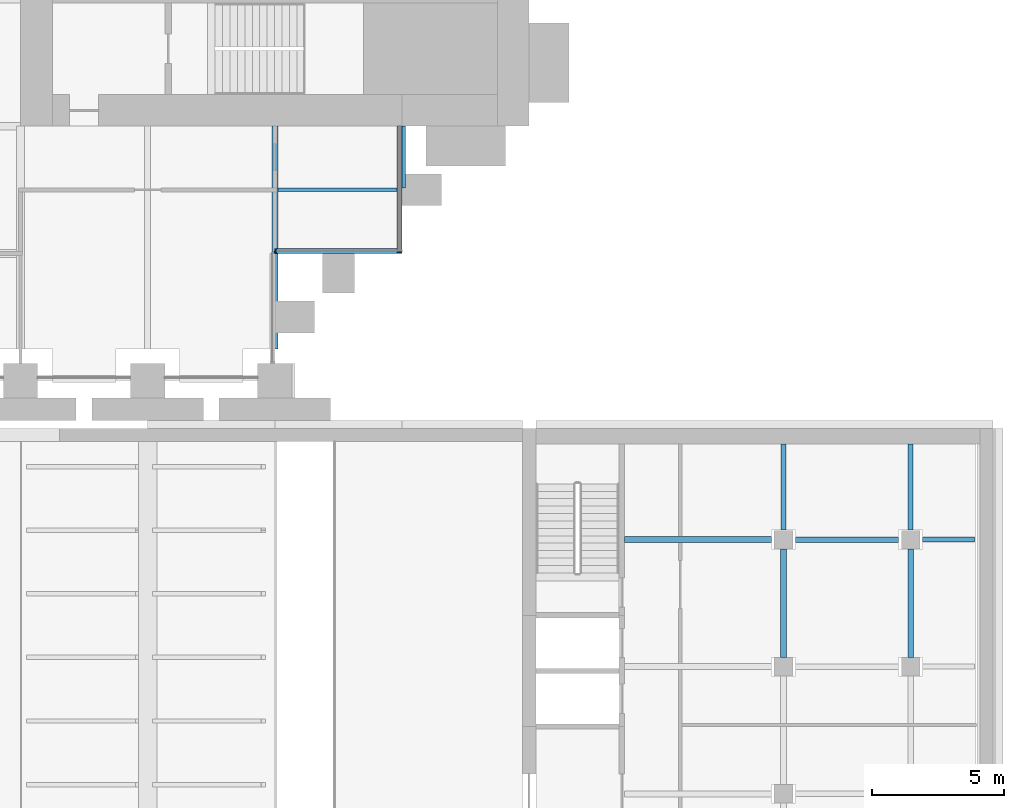
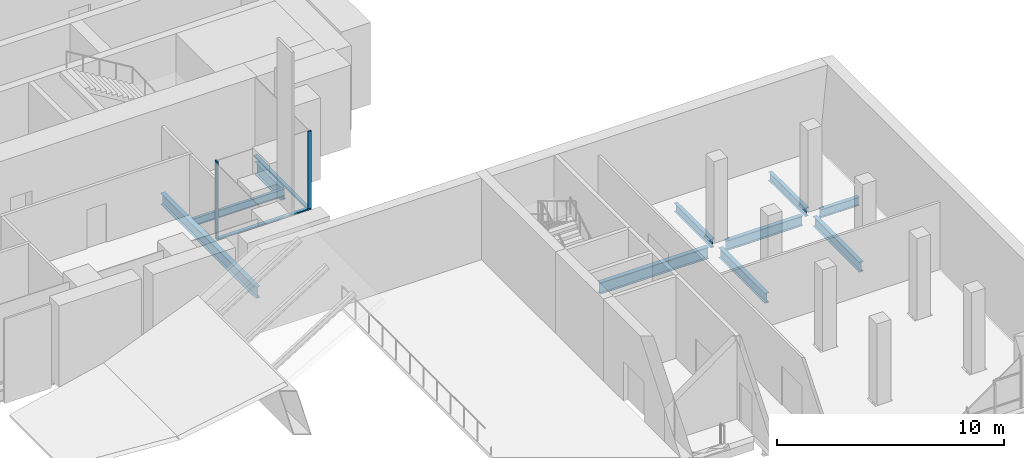
# One storey, part 13 of 32: 10 beams, 4 members, 2 elements without a shape of their own.
"""IFC4 building model written with IfcOpenShell, lengths in metres."""

from ifc_helpers import new_model, si_unit, direction, frame, origin, origin_2d, place, context, subcontext, project, spatial, rectangle, i_section, extrude, material, material_profile, profile_set, type_object, element, aggregate, save


model = new_model("IFC4")

# Units and contexts
model_context = context("Model", 3, precision=1e-05, world=origin(), true_north=direction((0.0, 1.0)))
body_context = subcontext(model_context, "Body", "Model", "MODEL_VIEW")
ifc_project = project(units=[si_unit("LENGTHUNIT", "METRE"), si_unit("AREAUNIT", "SQUARE_METRE"), si_unit("VOLUMEUNIT", "CUBIC_METRE"), si_unit("PLANEANGLEUNIT", "RADIAN"), si_unit("MASSUNIT", "GRAM", prefix="KILO")], contexts=[model_context])

# Site, building, storey
site_placement = place(None, origin())
site = spatial("IfcSite", under=ifc_project, at=site_placement, CompositionType="ELEMENT")
building_placement = place(site_placement, origin())
building = spatial("IfcBuilding", under=site, at=building_placement, Name="Baori Bourse Tower", CompositionType="ELEMENT")
storey_placement = place(building_placement, frame((0.0, 0.0, 12.60009765625)))
storey = spatial("IfcBuildingStorey", under=building, at=storey_placement, Name="L01", CompositionType="ELEMENT", Elevation=12.60009765625)

# Curtain wall, member
ifc_material_1 = material(Name="Pale anodised aluminium", Category="aluminium")
curtain_wall_type = type_object("IfcCurtainWallType", Name="CW2 Curtain wall", PredefinedType="NOTDEFINED", material=ifc_material_1)
curtain_wall_1_placement = place(storey_placement, origin())
curtain_wall_1 = element("IfcCurtainWall", 1, at=curtain_wall_1_placement, inside=storey, type_object=curtain_wall_type, Name="Curtain wall CW2 L01 13", PredefinedType="NOTDEFINED")
ifc_material_2 = material(Name="Pale anodised aluminium", Category="aluminium")
ifc_material_profile_1 = material_profile(ifc_material_2, rectangle(XDim=0.179931640625, YDim=0.054931640625, at=origin_2d()), Name="Mullion 55x180")
ifc_profile_set_1 = profile_set([ifc_material_profile_1], Name="Pale anodised aluminium")
member_type_1 = type_object("IfcMemberType", Name="CW2 Curtain wall mullion", PredefinedType="MULLION", material=ifc_profile_set_1)
member_1_placement = place(storey_placement, frame((48.027587890625, 4.889892578125, 0.06982421875), z_axis=(0.0, 0.0, 1.0), x_axis=(0.0, 1.0, 0.0)))
member_1 = element("IfcMember", 2, at=member_1_placement, type_object=member_type_1, Name="Curtain wall CW2 mullion", PredefinedType="MULLION", context=body_context, shape_type="SweptSolid", body=[
    extrude(rectangle(XDim=0.179931640625, YDim=0.054931640625, at=origin_2d()), origin(), (0.0, 0.0, 1.0), 4.170166015625),
])

curtain_wall_2_placement = place(storey_placement, origin())
curtain_wall_2 = element("IfcCurtainWall", 3, at=curtain_wall_2_placement, inside=storey, type_object=curtain_wall_type, Name="Curtain wall CW2 L01 14", PredefinedType="NOTDEFINED")
member_2_placement = place(storey_placement, frame((52.7099609375, 4.827392578125, 0.06982421875), z_axis=(0.0, 0.0, 1.0), x_axis=(-1.0, 0.0, 0.0)))
member_2 = element("IfcMember", 4, at=member_2_placement, type_object=member_type_1, Name="Curtain wall CW2 mullion", PredefinedType="MULLION", context=body_context, shape_type="SweptSolid", body=[
    extrude(rectangle(XDim=0.179931640625, YDim=0.054931640625, at=origin_2d()), origin(), (0.0, 0.0, 1.0), 4.170166015625),
])

# Member
ifc_material_3 = material(Name="Pale anodised aluminium", Category="aluminium")
ifc_material_profile_2 = material_profile(ifc_material_3, rectangle(XDim=0.179931640625, YDim=0.070068359375, at=origin_2d()), Name="Transom 70x180")
ifc_profile_set_2 = profile_set([ifc_material_profile_2], Name="Pale anodised aluminium")
member_type_2 = type_object("IfcMemberType", Name="CW2 Curtain wall transom", PredefinedType="USERDEFINED", material=ifc_profile_set_2)
member_3_placement = place(storey_placement, frame((48.0, 4.889892578125, 0.034912109375), z_axis=(1.0, 0.0, 0.0), x_axis=(0.0, 1.0, 0.0)))
member_3 = element("IfcMember", 5, at=member_3_placement, type_object=member_type_2, Name="Curtain wall CW2 sill rail", ObjectType="TRANSOM", PredefinedType="USERDEFINED", context=body_context, shape_type="SweptSolid", body=[
    extrude(rectangle(XDim=0.179931640625, YDim=0.070068359375, at=origin_2d()), origin(), (0.0, 0.0, 1.0), 4.800048828125),
])

aggregate(curtain_wall_1, [member_3, member_1])

member_4_placement = place(storey_placement, frame((52.7099609375, 4.800048828125, 0.034912109375), z_axis=(0.0, 1.0, 0.0), x_axis=(-1.0, 0.0, 0.0)))
member_4 = element("IfcMember", 6, at=member_4_placement, type_object=member_type_2, Name="Curtain wall CW2 sill rail", ObjectType="TRANSOM", PredefinedType="USERDEFINED", context=body_context, shape_type="SweptSolid", body=[
    extrude(rectangle(XDim=0.179931640625, YDim=0.070068359375, at=origin_2d()), origin(), (0.0, 0.0, 1.0), 4.800048828125),
])

aggregate(curtain_wall_2, [member_4, member_2])

# Beams
ifc_material_4 = material(Name="Steel A992 Gr 50", Category="steel")
ifc_material_profile_3 = material_profile(ifc_material_4, i_section(OverallWidth=0.25390625, OverallDepth=0.67822265625, WebThickness=0.01171875, FlangeThickness=0.016357421875, at=origin_2d()), Name="W27x84")
ifc_profile_set_3 = profile_set([ifc_material_profile_3], Name="Steel A992 Gr 50")
beam_type_1 = type_object("IfcBeamType", Name="Core bracket W27x84", PredefinedType="BEAM", material=ifc_profile_set_3)
beam_1_placement = place(storey_placement, frame((52.800048828125, 7.270263671875, -0.63916015625), z_axis=(0.0, 1.0, 0.0), x_axis=(-1.0, 0.0, 0.0)))
element("IfcBeam", 7, at=beam_1_placement, inside=storey, type_object=beam_type_1, Name="Core bracket L01", PredefinedType="BEAM", context=body_context, shape_type="SweptSolid", body=[
    extrude(i_section(OverallWidth=0.25390625, OverallDepth=0.67822265625, WebThickness=0.01171875, FlangeThickness=0.016357421875, at=origin_2d()), origin(), (0.0, 0.0, 1.0), 2.329833984375),
])
ifc_material_5 = material(Name="Steel A992 Gr 50", Category="steel")
ifc_material_profile_4 = material_profile(ifc_material_5, i_section(OverallWidth=0.22900390625, OverallDepth=0.612060546875, WebThickness=0.011962890625, FlangeThickness=0.01953125, at=origin_2d()), Name="W24x84")
ifc_profile_set_4 = profile_set([ifc_material_profile_4], Name="Steel A992 Gr 50")
beam_type_2 = type_object("IfcBeamType", Name="Floor beam W24x84", PredefinedType="BEAM", material=ifc_profile_set_4)
beam_2_placement = place(storey_placement, frame((48.0, 1.199951171875, -0.606201171875), z_axis=(0.0, 1.0, 0.0), x_axis=(-1.0, 0.0, 0.0)))
element("IfcBeam", 8, at=beam_2_placement, inside=storey, type_object=beam_type_2, Name="Floor beam L01", PredefinedType="BEAM", context=body_context, shape_type="SweptSolid", body=[
    extrude(i_section(OverallWidth=0.22900390625, OverallDepth=0.612060546875, WebThickness=0.011962890625, FlangeThickness=0.01953125, at=origin_2d()), origin(), (0.0, 0.0, 1.0), 8.400146484375),
])
ifc_material_6 = material(Name="Steel A992 Gr 50", Category="steel")
ifc_material_profile_5 = material_profile(ifc_material_6, i_section(OverallWidth=0.140380859375, OverallDepth=0.40380859375, WebThickness=0.007080078125, FlangeThickness=0.01123046875, at=origin_2d()), Name="W16x31")
ifc_profile_set_5 = profile_set([ifc_material_profile_5], Name="Steel A992 Gr 50")
beam_type_3 = type_object("IfcBeamType", Name="Trimmer beam W16x31", PredefinedType="BEAM", material=ifc_profile_set_5)
beam_3_placement = place(storey_placement, frame((48.114501953125, 7.199951171875, -0.501953125), z_axis=(1.0, 0.0, 0.0), x_axis=(0.0, 1.0, 0.0)))
element("IfcBeam", 9, at=beam_3_placement, inside=storey, type_object=beam_type_3, Name="Trimmer beam L01", PredefinedType="BEAM", context=body_context, shape_type="SweptSolid", body=[
    extrude(i_section(OverallWidth=0.140380859375, OverallDepth=0.40380859375, WebThickness=0.007080078125, FlangeThickness=0.01123046875, at=origin_2d()), origin(), (0.0, 0.0, 1.0), 4.685546875),
])
ifc_material_7 = material(Name="Steel A992 Gr 50", Category="steel")
ifc_material_profile_6 = material_profile(ifc_material_7, i_section(OverallWidth=0.1904296875, OverallDepth=0.457275390625, WebThickness=0.009033203125, FlangeThickness=0.014404296875, at=origin_2d()), Name="W18x50")
ifc_profile_set_6 = profile_set([ifc_material_profile_6], Name="Steel A992 Gr 50")
beam_type_4 = type_object("IfcBeamType", Name="Wing beam W18x50", PredefinedType="BEAM", material=ifc_profile_set_6)
beam_4_placement = place(storey_placement, frame((74.415771484375, -6.0, -0.52880859375), z_axis=(-1.0, 0.0, 0.0), x_axis=(0.0, -1.0, 0.0)))
element("IfcBeam", 10, at=beam_4_placement, inside=storey, type_object=beam_type_4, Name="wing/L01/Ebeam/013", PredefinedType="BEAM", context=body_context, shape_type="SweptSolid", body=[
    extrude(i_section(OverallWidth=0.1904296875, OverallDepth=0.457275390625, WebThickness=0.009033203125, FlangeThickness=0.014404296875, at=origin_2d()), origin(), (0.0, 0.0, 1.0), 1.9658203125),
])
for number, where, z_axis, x_axis, name in (
    (11, (72.0, -5.64990234375, -0.52880859375), (0.0, 1.0, 0.0), (-1.0, 0.0, 0.0), "wing/L01/Ebeamy/005"),
    (12, (67.199951171875, -5.64990234375, -0.52880859375), (0.0, 1.0, 0.0), (-1.0, 0.0, 0.0), "wing/L01/Ebeamy/010"),
):
    element("IfcBeam", number, at=place(storey_placement, frame(where, z_axis=z_axis, x_axis=x_axis)), inside=storey, type_object=beam_type_4, Name=name, PredefinedType="BEAM", context=body_context, shape_type="SweptSolid", body=[
        extrude(i_section(OverallWidth=0.1904296875, OverallDepth=0.457275390625, WebThickness=0.009033203125, FlangeThickness=0.014404296875, at=origin_2d()), origin(), (0.0, 0.0, 1.0), 3.25),
    ])
ifc_material_8 = material(Name="Steel A992 Gr 50", Category="steel")
ifc_material_profile_7 = material_profile(ifc_material_8, i_section(OverallWidth=0.209228515625, OverallDepth=0.533447265625, WebThickness=0.01025390625, FlangeThickness=0.015625, at=origin_2d()), Name="W21x62")
ifc_profile_set_7 = profile_set([ifc_material_profile_7], Name="Steel A992 Gr 50")
beam_type_5 = type_object("IfcBeamType", Name="Wing beam W21x62", PredefinedType="BEAM", material=ifc_profile_set_7)
beam_5_placement = place(storey_placement, frame((71.550048828125, -6.0, -0.56689453125), z_axis=(-1.0, 0.0, 0.0), x_axis=(0.0, -1.0, 0.0)))
element("IfcBeam", 13, at=beam_5_placement, inside=storey, type_object=beam_type_5, Name="wing/L01/Ebeam/014", PredefinedType="BEAM", context=body_context, shape_type="SweptSolid", body=[
    extrude(i_section(OverallWidth=0.209228515625, OverallDepth=0.533447265625, WebThickness=0.01025390625, FlangeThickness=0.015625, at=origin_2d()), origin(), (0.0, 0.0, 1.0), 3.900146484375),
])
for number, where, z_axis, x_axis, name in (
    (14, (72.0, -10.449951171875, -0.56689453125), (0.0, 1.0, 0.0), (-1.0, 0.0, 0.0), "wing/L01/Ebeamy/004"),
    (15, (67.199951171875, -10.449951171875, -0.56689453125), (0.0, 1.0, 0.0), (-1.0, 0.0, 0.0), "wing/L01/Ebeamy/009"),
):
    element("IfcBeam", number, at=place(storey_placement, frame(where, z_axis=z_axis, x_axis=x_axis)), inside=storey, type_object=beam_type_5, Name=name, PredefinedType="BEAM", context=body_context, shape_type="SweptSolid", body=[
        extrude(i_section(OverallWidth=0.209228515625, OverallDepth=0.533447265625, WebThickness=0.01025390625, FlangeThickness=0.015625, at=origin_2d()), origin(), (0.0, 0.0, 1.0), 4.099853515625),
    ])
ifc_material_9 = material(Name="Steel A992 Gr 50", Category="steel")
ifc_material_profile_8 = material_profile(ifc_material_9, i_section(OverallWidth=0.22900390625, OverallDepth=0.612060546875, WebThickness=0.011962890625, FlangeThickness=0.01953125, at=origin_2d()), Name="W24x84")
ifc_profile_set_8 = profile_set([ifc_material_profile_8], Name="Steel A992 Gr 50")
beam_type_6 = type_object("IfcBeamType", Name="Wing beam W24x84", PredefinedType="BEAM", material=ifc_profile_set_8)
beam_6_placement = place(storey_placement, frame((66.75, -6.0, -0.606201171875), z_axis=(-1.0, 0.0, 0.0), x_axis=(0.0, -1.0, 0.0)))
element("IfcBeam", 16, at=beam_6_placement, inside=storey, type_object=beam_type_6, Name="wing/L01/Ebeam/015", PredefinedType="BEAM", context=body_context, shape_type="SweptSolid", body=[
    extrude(i_section(OverallWidth=0.22900390625, OverallDepth=0.612060546875, WebThickness=0.011962890625, FlangeThickness=0.01953125, at=origin_2d()), origin(), (0.0, 0.0, 1.0), 5.550048828125),
])

save(model, "model.ifc")
